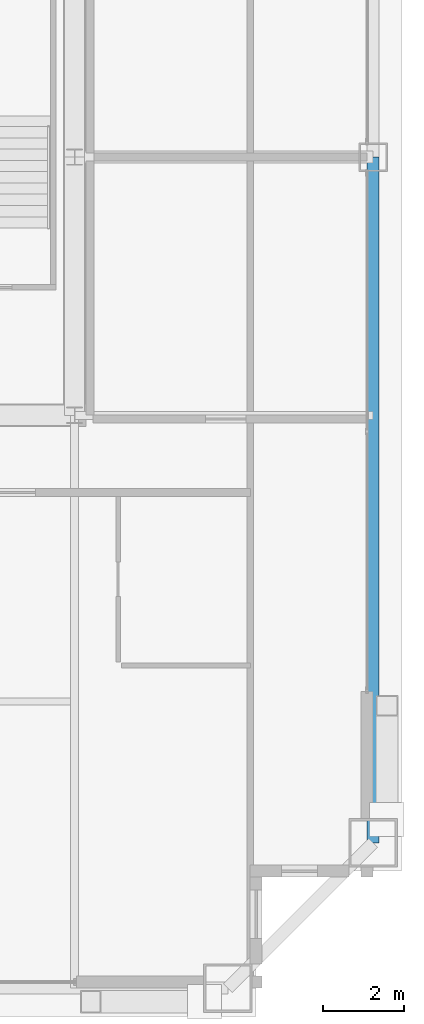
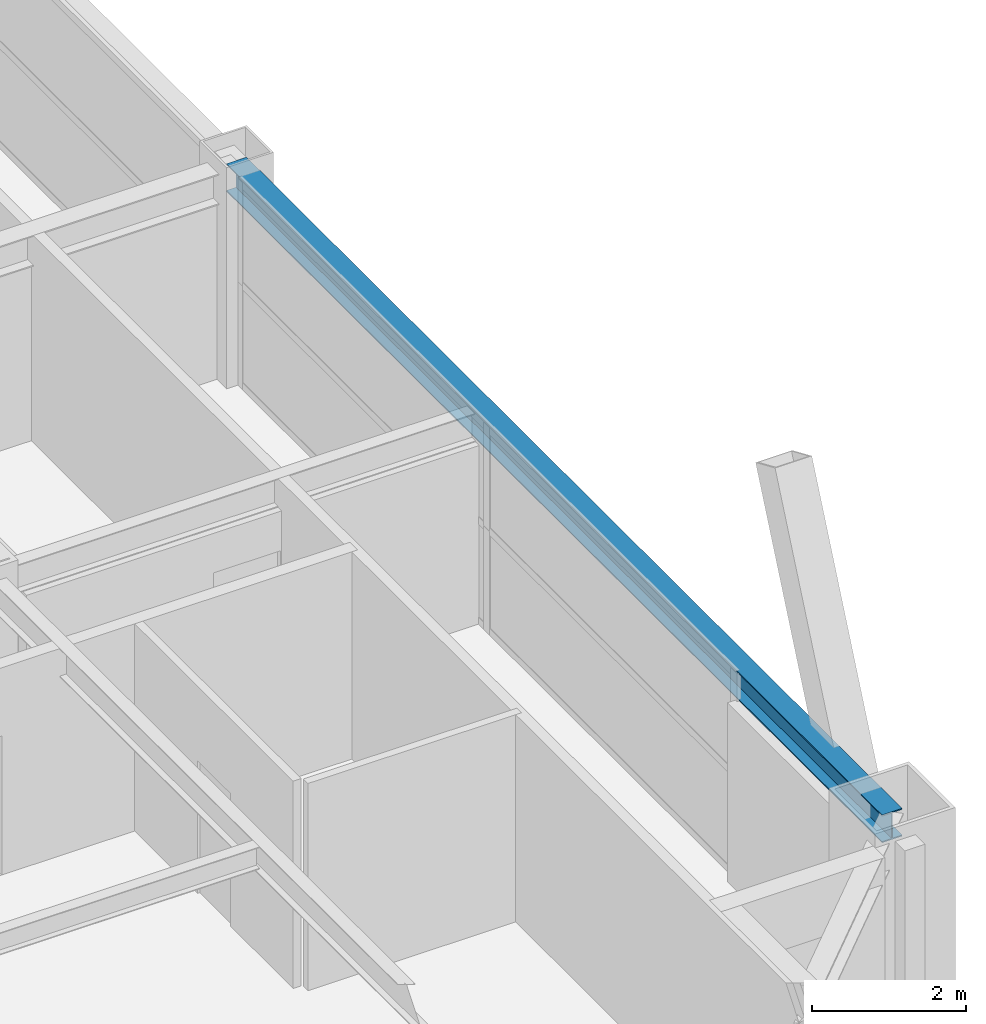
# One storey, part 16 of 34: 1 beam.
"""IFC4 building model written with IfcOpenShell, lengths in metres."""

from ifc_helpers import new_model, si_unit, direction, frame, origin, origin_2d, place, context, subcontext, project, spatial, i_section, extrude, source, transform, mapped, material, material_profile, profile_set, type_object, element, save


model = new_model("IFC4")

# Units and contexts
model_context = context("Model", 3, precision=1e-05, world=origin(), true_north=direction((0.0, 1.0)))
body_context = subcontext(model_context, "Body", "Model", "MODEL_VIEW")
ifc_project = project(units=[si_unit("LENGTHUNIT", "METRE"), si_unit("AREAUNIT", "SQUARE_METRE"), si_unit("VOLUMEUNIT", "CUBIC_METRE"), si_unit("PLANEANGLEUNIT", "RADIAN"), si_unit("MASSUNIT", "GRAM", prefix="KILO"), si_unit("THERMODYNAMICTEMPERATUREUNIT", "KELVIN"), si_unit("POWERUNIT", "WATT")], contexts=[model_context])

# Site, building, storey
site_placement = place(None, origin())
site = spatial("IfcSite", under=ifc_project, at=site_placement, CompositionType="ELEMENT")
building_placement = place(site_placement, origin())
building = spatial("IfcBuilding", under=site, at=building_placement, Name="Yuzanri Waterfront Tower", CompositionType="ELEMENT")
storey_placement = place(building_placement, frame((0.0, 0.0, 241.60009765625)))
storey = spatial("IfcBuildingStorey", under=building, at=storey_placement, Name="L64", CompositionType="ELEMENT", Elevation=241.60009765625)

# Beam
ifc_material = material(Name="Steel Q355B", Category="steel")
ifc_material_profile = material_profile(ifc_material, i_section(OverallWidth=0.300048828125, OverallDepth=0.43994140625, WebThickness=0.010986328125, FlangeThickness=0.01806640625, at=origin_2d()), Name="HM 440x300x11x18")
ifc_profile_set = profile_set([ifc_material_profile], Name="Steel Q355B")
beam_type = type_object("IfcBeamType", Name="Perimeter Spandrel Q355B HM 440x300", PredefinedType="SPANDREL", material=ifc_profile_set)
shared_shape = source(origin(), body_context, "Body", "SweptSolid", [
    extrude(i_section(OverallWidth=0.300048828125, OverallDepth=0.43994140625, WebThickness=0.010986328125, FlangeThickness=0.01806640625, at=origin_2d()), origin(), (0.0, 0.0, 1.0), 17.0),
])
beam_placement = place(storey_placement, frame((57.60009765625, 8.800048828125, 3.059814453125), z_axis=(0.0, 1.0, 0.0), x_axis=(-1.0, 0.0, 0.0)))
element("IfcBeam", 1, at=beam_placement, inside=storey, type_object=beam_type, Name="L64 Perimeter Spandrel E1-E2", PredefinedType="SPANDREL", context=body_context, shape_type="MappedRepresentation", body=[
    mapped(shared_shape, transform((0.0, 0.0, 0.0), scale=1.0)),
])

save(model, "model.ifc")
